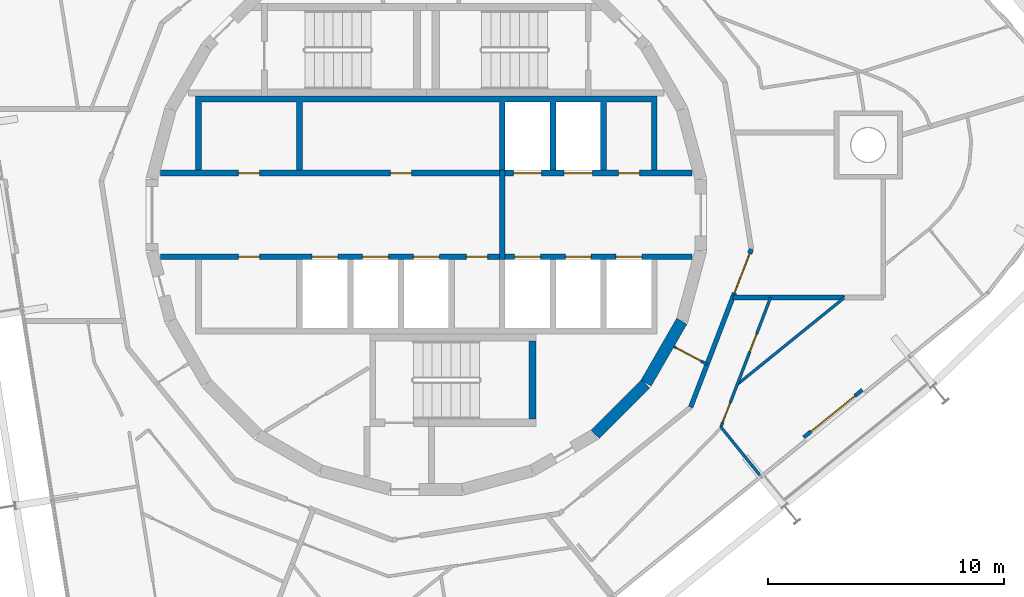
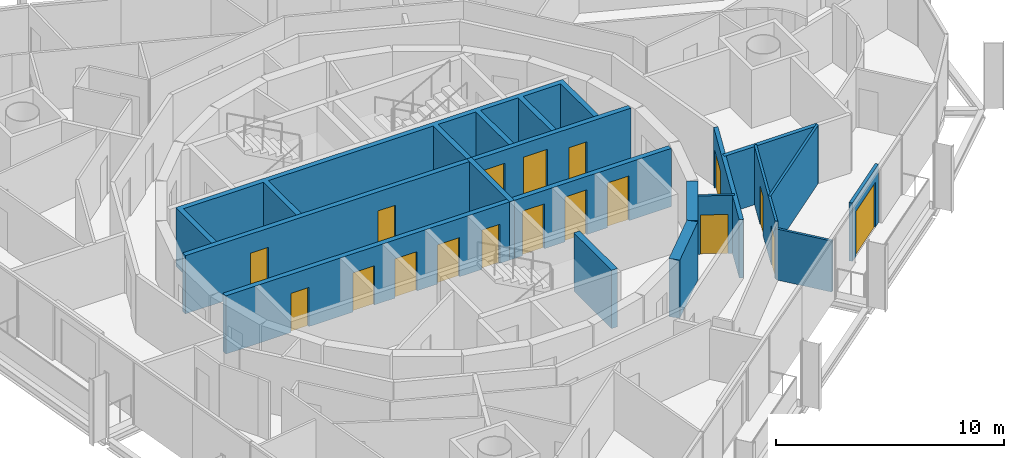
# One storey, part 13 of 17: 18 doors, 16 walls, 18 openings.
"""IFC4 building model written with IfcOpenShell, lengths in metres."""

from ifc_helpers import new_model, si_unit, direction, frame, frame_2d, origin, place, context, subcontext, project, spatial, polyline, rectangle, outline, extrude, material, layer, layer_set, type_object, element, fill, save


model = new_model("IFC4")

# Units and contexts
model_context = context("Model", 3, precision=1e-05, world=origin(), true_north=direction((0.0, 1.0)))
body_context = subcontext(model_context, "Body", "Model", "MODEL_VIEW")
ifc_project = project(units=[si_unit("LENGTHUNIT", "METRE"), si_unit("AREAUNIT", "SQUARE_METRE"), si_unit("VOLUMEUNIT", "CUBIC_METRE"), si_unit("PLANEANGLEUNIT", "RADIAN"), si_unit("MASSUNIT", "GRAM", prefix="KILO")], contexts=[model_context])

# Site, building, storey
site_placement = place(None, origin())
site = spatial("IfcSite", under=ifc_project, at=site_placement, CompositionType="ELEMENT")
building_placement = place(site_placement, origin())
building = spatial("IfcBuilding", under=site, at=building_placement, Name="Spindle Arch Residences", CompositionType="ELEMENT")
storey_placement = place(building_placement, frame((0.0, 0.0, 284.39990234375)))
storey = spatial("IfcBuildingStorey", under=building, at=storey_placement, Name="L73", CompositionType="ELEMENT", Elevation=284.39990234375)

# Walls
ifc_material_1 = material(Name="Concrete C50/60", Category="concrete")
ifc_layer_1 = layer(ifc_material_1, 0.5)
ifc_layer_set_1 = layer_set([ifc_layer_1], Name="Core outline wall 500")
wall_type_1 = type_object("IfcWallType", Name="Core outline wall 500", PredefinedType="SHEAR", material=ifc_layer_set_1)
wall_1_placement = place(storey_placement, frame((7.163818359375, -9.30810546875, 0.0), z_axis=(0.0, 0.0, 1.0), x_axis=(0.707106781187, 0.707106781187, 0.0)))
element("IfcWall", 1, at=wall_1_placement, inside=storey, type_object=wall_type_1, Name="Core outline wall 3", PredefinedType="SHEAR", context=body_context, shape_type="SweptSolid", body=[
    extrude(rectangle(XDim=3.032470703125, YDim=0.5, at=frame_2d((1.51611328125, 0.0))), origin(), (0.0, 0.0, 1.0), 3.1201171875),
])
wall_2_placement = place(storey_placement, frame((9.32861328125, -7.13671875, 0.0), z_axis=(0.0, 0.0, 1.0), x_axis=(0.500087131594, 0.865975092491, 0.0)))
element("IfcWall", 2, at=wall_2_placement, inside=storey, type_object=wall_type_1, Name="Core outline wall 4", PredefinedType="SHEAR", context=body_context, shape_type="SweptSolid", body=[
    extrude(rectangle(XDim=3.03271484375, YDim=0.5, at=frame_2d((1.516357421875, 0.0))), origin(), (0.0, 0.0, 1.0), 3.1201171875),
])

# Wall, opening, door
ifc_material_2 = material(Name="Plasterboard on steel studs", Category="steel")
ifc_layer_2 = layer(ifc_material_2, 0.1201171875)
ifc_layer_set_2 = layer_set([ifc_layer_2], Name="Corridor division wall 120")
wall_type_2 = type_object("IfcWallType", Name="Corridor division wall 120", PredefinedType="PARTITIONING", material=ifc_layer_set_2)
wall_3_placement = place(storey_placement, frame((10.510986328125, -5.5888671875, 0.0), z_axis=(0.0, 0.0, 1.0), x_axis=(0.882983002821, -0.469404960273, 0.0)))
wall_3 = element("IfcWall", 3, at=wall_3_placement, inside=storey, type_object=wall_type_2, Name="Corridor division wall R7C0-W002", PredefinedType="PARTITIONING", context=body_context, shape_type="SweptSolid", body=[
    extrude(rectangle(XDim=1.59619140625, YDim=0.1201171875, at=frame_2d((0.798095703125, 0.0))), origin(), (0.0, 0.0, 1.0), 3.1201171875),
])
opening_1_placement = place(wall_3_placement, frame((0.10009765625, 0.0, 0.0)))
opening_1 = element("IfcOpeningElement", 4, at=opening_1_placement, cuts=wall_3, Name="Opening R7C0-CD02", PredefinedType="OPENING", context=body_context, shape_type="SweptSolid", body=[
    extrude(rectangle(XDim=1.199951171875, YDim=2.10009765625, at=frame_2d((0.60009765625, 1.050048828125))), frame((0.0, 0.070068359375, 0.0), z_axis=(0.0, -1.0, 0.0), x_axis=(1.0, 0.0, 0.0)), (0.0, 0.0, 1.0), 0.14013671875),
])
ifc_material_3 = material(Name="Steel, fire-resisting door", Category="steel")
door_type_1 = type_object("IfcDoorType", Name="Corridor division door 1200x2100", OperationType="NOTDEFINED", PredefinedType="DOOR", material=ifc_material_3)
door_1_placement = place(opening_1_placement, origin())
door_1 = element("IfcDoor", 5, at=door_1_placement, inside=storey, type_object=door_type_1, Name="Corridor division door R7C0-CD02", OperationType="DOUBLE_DOOR_SINGLE_SWING", OverallHeight=2.10009765625, OverallWidth=1.199951171875, PredefinedType="DOOR", context=body_context, shape_type="SweptSolid", body=[
    extrude(rectangle(XDim=1.199951171875, YDim=2.10009765625, at=frame_2d((0.60009765625, 1.050048828125))), frame((0.0, 0.02490234375, 0.0), z_axis=(0.0, -1.0, 0.0), x_axis=(1.0, 0.0, 0.0)), (0.0, 0.0, 1.0), 0.050048828125),
])
fill(opening_1, door_1)

ifc_material_4 = material(Name="Calcium silicate block, plastered")
ifc_layer_3 = layer(ifc_material_4, 0.199951171875)
ifc_layer_set_3 = layer_set([ifc_layer_3], Name="Fire-lift lobby bay wall 200")
wall_type_3 = type_object("IfcWallType", Name="Fire-lift lobby bay wall 200", PredefinedType="STANDARD", material=ifc_layer_set_3)
wall_4_placement = place(storey_placement, frame((11.223388671875, -8.154296875, 0.0), z_axis=(0.0, 0.0, 1.0), x_axis=(0.358341090983, 0.93359073609, 0.0)))
wall_4 = element("IfcWall", 6, at=wall_4_placement, inside=storey, type_object=wall_type_3, Name="Fire-lift lobby bay wall R7C0-W004", PredefinedType="STANDARD", context=body_context, shape_type="SweptSolid", body=[
    extrude(rectangle(XDim=7.180908203125, YDim=0.199951171875, at=frame_2d((3.59033203125, 0.0))), origin(), (0.0, 0.0, 1.0), 3.1201171875),
])
opening_2_placement = place(wall_4_placement, frame((5.185302734375, 0.0, 0.0)))
opening_2 = element("IfcOpeningElement", 7, at=opening_2_placement, cuts=wall_4, Name="Opening R7C0-FB01", PredefinedType="OPENING", context=body_context, shape_type="SweptSolid", body=[
    extrude(rectangle(XDim=1.800048828125, YDim=2.10009765625, at=frame_2d((0.89990234375, 1.050048828125))), frame((0.0, 0.10986328125, 0.0), z_axis=(0.0, -1.0, 0.0), x_axis=(1.0, 0.0, 0.0)), (0.0, 0.0, 1.0), 0.219970703125),
])
ifc_material_5 = material(Name="Steel, fire-resisting door", Category="steel")
door_type_2 = type_object("IfcDoorType", Name="Fire-lift lobby bay door 1800x2100", OperationType="NOTDEFINED", PredefinedType="DOOR", material=ifc_material_5)
door_2_placement = place(opening_2_placement, origin())
door_2 = element("IfcDoor", 8, at=door_2_placement, inside=storey, type_object=door_type_2, Name="Fire-lift lobby bay door R7C0-FB01", OperationType="DOUBLE_DOOR_SINGLE_SWING", OverallHeight=2.10009765625, OverallWidth=1.800048828125, PredefinedType="DOOR", context=body_context, shape_type="SweptSolid", body=[
    extrude(rectangle(XDim=1.800048828125, YDim=2.10009765625, at=frame_2d((0.89990234375, 1.050048828125))), frame((0.0, 0.02490234375, 0.0), z_axis=(0.0, -1.0, 0.0), x_axis=(1.0, 0.0, 0.0)), (0.0, 0.0, 1.0), 0.050048828125),
])
fill(opening_2, door_2)

# Wall
wall_5_placement = place(storey_placement, frame((13.009765625, -3.5, 0.0), z_axis=(0.0, 0.0, 1.0), x_axis=(1.0, 0.0, 0.0)))
element("IfcWall", 9, at=wall_5_placement, inside=storey, type_object=wall_type_3, Name="Fire-lift lobby bay wall R7C0-W019", PredefinedType="STANDARD", context=body_context, shape_type="SweptSolid", body=[
    extrude(rectangle(XDim=4.75, YDim=0.199951171875, at=frame_2d((2.375, 0.0))), origin(), (0.0, 0.0, 1.0), 3.1201171875),
])

# Wall, openings, doors
ifc_material_6 = material(Name="Concrete C40/50", Category="concrete")
ifc_layer_4 = layer(ifc_material_6, 0.25)
ifc_layer_set_4 = layer_set([ifc_layer_4], Name="Fire-lift lobby wall 250")
wall_type_4 = type_object("IfcWallType", Name="Fire-lift lobby wall 250", PredefinedType="SHEAR", material=ifc_layer_set_4)
wall_6_placement = place(storey_placement, frame((3.35009765625, 1.77490234375, 0.0), z_axis=(0.0, 0.0, 1.0), x_axis=(1.0, 0.0, 0.0)))
wall_6 = element("IfcWall", 10, at=wall_6_placement, inside=storey, type_object=wall_type_4, Name="Lift shaft front wall NE", PredefinedType="SHEAR", context=body_context, shape_type="SweptSolid", body=[
    extrude(rectangle(XDim=7.929931640625, YDim=0.25, at=frame_2d((3.96484375, 0.0))), origin(), (0.0, 0.0, 1.0), 3.1201171875),
])
opening_3_placement = place(wall_6_placement, frame((0.35009765625, 0.0, 0.0)))
opening_3 = element("IfcOpeningElement", 11, at=opening_3_placement, cuts=wall_6, Name="Opening R7C0-SLD01", PredefinedType="OPENING", context=body_context, shape_type="SweptSolid", body=[
    extrude(rectangle(XDim=1.199951171875, YDim=2.39990234375, at=frame_2d((0.60009765625, 1.199951171875))), frame((0.0, 0.135009765625, 0.0), z_axis=(0.0, -1.0, 0.0), x_axis=(1.0, 0.0, 0.0)), (0.0, 0.0, 1.0), 0.27001953125),
])
opening_4_placement = place(wall_6_placement, frame((2.5, 0.0, 0.0)))
opening_4 = element("IfcOpeningElement", 12, at=opening_4_placement, cuts=wall_6, Name="Opening R7C0-SLD02", PredefinedType="OPENING", context=body_context, shape_type="SweptSolid", body=[
    extrude(rectangle(XDim=1.199951171875, YDim=2.39990234375, at=frame_2d((0.60009765625, 1.199951171875))), frame((0.0, 0.135009765625, 0.0), z_axis=(0.0, -1.0, 0.0), x_axis=(1.0, 0.0, 0.0)), (0.0, 0.0, 1.0), 0.27001953125),
])
opening_5_placement = place(wall_6_placement, frame((4.800048828125, 0.0, 0.0)))
opening_5 = element("IfcOpeningElement", 13, at=opening_5_placement, cuts=wall_6, Name="Opening R7C0-WD03", PredefinedType="OPENING", context=body_context, shape_type="SweptSolid", body=[
    extrude(rectangle(XDim=0.89990234375, YDim=2.10009765625, at=frame_2d((0.449951171875, 1.050048828125))), frame((0.0, 0.135009765625, 0.0), z_axis=(0.0, -1.0, 0.0), x_axis=(1.0, 0.0, 0.0)), (0.0, 0.0, 1.0), 0.27001953125),
])
ifc_material_7 = material(Name="Steel, fire-resisting landing door", Category="steel")
door_type_3 = type_object("IfcDoorType", Name="Service lift landing door 1200x2400", OperationType="DOUBLE_DOOR_SLIDING", PredefinedType="DOOR", material=ifc_material_7)
door_3_placement = place(opening_3_placement, origin())
door_3 = element("IfcDoor", 14, at=door_3_placement, inside=storey, type_object=door_type_3, Name="Service lift landing door R7C0-SLD01", OperationType="DOUBLE_DOOR_SLIDING", OverallHeight=2.39990234375, OverallWidth=1.199951171875, PredefinedType="DOOR", context=body_context, shape_type="SweptSolid", body=[
    extrude(rectangle(XDim=1.199951171875, YDim=2.39990234375, at=frame_2d((0.60009765625, 1.199951171875))), frame((0.0, 0.02490234375, 0.0), z_axis=(0.0, -1.0, 0.0), x_axis=(1.0, 0.0, 0.0)), (0.0, 0.0, 1.0), 0.050048828125),
])
fill(opening_3, door_3)
door_4_placement = place(opening_4_placement, origin())
door_4 = element("IfcDoor", 15, at=door_4_placement, inside=storey, type_object=door_type_3, Name="Service lift landing door R7C0-SLD02", OperationType="DOUBLE_DOOR_SLIDING", OverallHeight=2.39990234375, OverallWidth=1.199951171875, PredefinedType="DOOR", context=body_context, shape_type="SweptSolid", body=[
    extrude(rectangle(XDim=1.199951171875, YDim=2.39990234375, at=frame_2d((0.60009765625, 1.199951171875))), frame((0.0, 0.02490234375, 0.0), z_axis=(0.0, -1.0, 0.0), x_axis=(1.0, 0.0, 0.0)), (0.0, 0.0, 1.0), 0.050048828125),
])
fill(opening_4, door_4)
ifc_material_8 = material(Name="Steel, fire-resisting door", Category="steel")
door_type_4 = type_object("IfcDoorType", Name="Service room door 900x2100", OperationType="SINGLE_SWING_LEFT", PredefinedType="DOOR", material=ifc_material_8)
door_5_placement = place(opening_5_placement, origin())
door_5 = element("IfcDoor", 16, at=door_5_placement, inside=storey, type_object=door_type_4, Name="Service room door R7C0-WD03", OperationType="SINGLE_SWING_LEFT", OverallHeight=2.10009765625, OverallWidth=0.89990234375, PredefinedType="DOOR", context=body_context, shape_type="SweptSolid", body=[
    extrude(rectangle(XDim=0.89990234375, YDim=2.10009765625, at=frame_2d((0.449951171875, 1.050048828125))), frame((0.0, 0.02490234375, 0.0), z_axis=(0.0, -1.0, 0.0), x_axis=(1.0, 0.0, 0.0)), (0.0, 0.0, 1.0), 0.050048828125),
])
fill(opening_5, door_5)

# Wall
wall_7_placement = place(storey_placement, frame((3.22509765625, -1.89990234375, 0.0), z_axis=(0.0, 0.0, 1.0), x_axis=(0.0, 1.0, 0.0)))
element("IfcWall", 17, at=wall_7_placement, inside=storey, type_object=wall_type_4, Name="Fire-fighting lobby partition", PredefinedType="SHEAR", context=body_context, shape_type="SweptSolid", body=[
    extrude(rectangle(XDim=3.7998046875, YDim=0.25, at=frame_2d((1.89990234375, 0.0))), origin(), (0.0, 0.0, 1.0), 3.1201171875),
])

# Wall, openings, doors
ifc_material_9 = material(Name="Concrete C50/60", Category="concrete")
ifc_layer_5 = layer(ifc_material_9, 0.25)
ifc_layer_set_5 = layer_set([ifc_layer_5], Name="Fire-lift shaft wall 250")
wall_type_5 = type_object("IfcWallType", Name="Fire-lift shaft wall 250", PredefinedType="SHEAR", material=ifc_layer_set_5)
wall_8_placement = place(storey_placement, frame((3.35009765625, -1.77490234375, 0.0), z_axis=(0.0, 0.0, 1.0), x_axis=(1.0, 0.0, 0.0)))
wall_8 = element("IfcWall", 18, at=wall_8_placement, inside=storey, type_object=wall_type_5, Name="Lift shaft front wall SE", PredefinedType="SHEAR", context=body_context, shape_type="SweptSolid", body=[
    extrude(rectangle(XDim=7.929931640625, YDim=0.25, at=frame_2d((3.96484375, 0.0))), origin(), (0.0, 0.0, 1.0), 3.1201171875),
])
opening_6_placement = place(wall_8_placement, frame((0.39990234375, 0.0, 0.0)))
opening_6 = element("IfcOpeningElement", 19, at=opening_6_placement, cuts=wall_8, Name="Opening R7C0-FLD01", PredefinedType="OPENING", context=body_context, shape_type="SweptSolid", body=[
    extrude(rectangle(XDim=1.10009765625, YDim=2.39990234375, at=frame_2d((0.550048828125, 1.199951171875))), frame((0.0, 0.135009765625, 0.0), z_axis=(0.0, -1.0, 0.0), x_axis=(1.0, 0.0, 0.0)), (0.0, 0.0, 1.0), 0.27001953125),
])
opening_7_placement = place(wall_8_placement, frame((2.550048828125, 0.0, 0.0)))
opening_7 = element("IfcOpeningElement", 20, at=opening_7_placement, cuts=wall_8, Name="Opening R7C0-FLD02", PredefinedType="OPENING", context=body_context, shape_type="SweptSolid", body=[
    extrude(rectangle(XDim=1.10009765625, YDim=2.39990234375, at=frame_2d((0.550048828125, 1.199951171875))), frame((0.0, 0.135009765625, 0.0), z_axis=(0.0, -1.0, 0.0), x_axis=(1.0, 0.0, 0.0)), (0.0, 0.0, 1.0), 0.27001953125),
])
opening_8_placement = place(wall_8_placement, frame((4.699951171875, 0.0, 0.0)))
opening_8 = element("IfcOpeningElement", 21, at=opening_8_placement, cuts=wall_8, Name="Opening R7C0-FLD03", PredefinedType="OPENING", context=body_context, shape_type="SweptSolid", body=[
    extrude(rectangle(XDim=1.10009765625, YDim=2.39990234375, at=frame_2d((0.550048828125, 1.199951171875))), frame((0.0, 0.135009765625, 0.0), z_axis=(0.0, -1.0, 0.0), x_axis=(1.0, 0.0, 0.0)), (0.0, 0.0, 1.0), 0.27001953125),
])
ifc_material_10 = material(Name="Steel, fire-resisting landing door", Category="steel")
door_type_5 = type_object("IfcDoorType", Name="Fire-fighting lift landing door 1100x2400", OperationType="DOUBLE_DOOR_SLIDING", PredefinedType="DOOR", material=ifc_material_10)
door_6_placement = place(opening_6_placement, origin())
door_6 = element("IfcDoor", 22, at=door_6_placement, inside=storey, type_object=door_type_5, Name="Fire-fighting lift landing door R7C0-FLD01", OperationType="DOUBLE_DOOR_SLIDING", OverallHeight=2.39990234375, OverallWidth=1.10009765625, PredefinedType="DOOR", context=body_context, shape_type="SweptSolid", body=[
    extrude(rectangle(XDim=1.10009765625, YDim=2.39990234375, at=frame_2d((0.550048828125, 1.199951171875))), frame((0.0, 0.02490234375, 0.0), z_axis=(0.0, -1.0, 0.0), x_axis=(1.0, 0.0, 0.0)), (0.0, 0.0, 1.0), 0.050048828125),
])
fill(opening_6, door_6)
door_7_placement = place(opening_7_placement, origin())
door_7 = element("IfcDoor", 23, at=door_7_placement, inside=storey, type_object=door_type_5, Name="Fire-fighting lift landing door R7C0-FLD02", OperationType="DOUBLE_DOOR_SLIDING", OverallHeight=2.39990234375, OverallWidth=1.10009765625, PredefinedType="DOOR", context=body_context, shape_type="SweptSolid", body=[
    extrude(rectangle(XDim=1.10009765625, YDim=2.39990234375, at=frame_2d((0.550048828125, 1.199951171875))), frame((0.0, 0.02490234375, 0.0), z_axis=(0.0, -1.0, 0.0), x_axis=(1.0, 0.0, 0.0)), (0.0, 0.0, 1.0), 0.050048828125),
])
fill(opening_7, door_7)
door_8_placement = place(opening_8_placement, origin())
door_8 = element("IfcDoor", 24, at=door_8_placement, inside=storey, type_object=door_type_5, Name="Fire-fighting lift landing door R7C0-FLD03", OperationType="DOUBLE_DOOR_SLIDING", OverallHeight=2.39990234375, OverallWidth=1.10009765625, PredefinedType="DOOR", context=body_context, shape_type="SweptSolid", body=[
    extrude(rectangle(XDim=1.10009765625, YDim=2.39990234375, at=frame_2d((0.550048828125, 1.199951171875))), frame((0.0, 0.02490234375, 0.0), z_axis=(0.0, -1.0, 0.0), x_axis=(1.0, 0.0, 0.0)), (0.0, 0.0, 1.0), 0.050048828125),
])
fill(opening_8, door_8)

ifc_material_11 = material(Name="Plasterboard on steel studs", Category="steel")
ifc_layer_6 = layer(ifc_material_11, 0.1201171875)
ifc_layer_set_6 = layer_set([ifc_layer_6], Name="Flat partition 120")
wall_type_6 = type_object("IfcWallType", Name="Flat partition 120", PredefinedType="PARTITIONING", material=ifc_layer_set_6)
wall_9_placement = place(storey_placement, frame((12.5048828125, -9.000732421875, 0.0), z_axis=(0.0, 0.0, 1.0), x_axis=(0.358373707046, 0.933578216379, 0.0)))
wall_9 = element("IfcWall", 25, at=wall_9_placement, inside=storey, type_object=wall_type_6, Name="Flat partition R7C0-W093", PredefinedType="PARTITIONING", context=body_context, shape_type="SweptSolid", body=[
    extrude(rectangle(XDim=5.89208984375, YDim=0.1201171875, at=frame_2d((2.946044921875, 0.0))), origin(), (0.0, 0.0, 1.0), 3.1201171875),
])
opening_9_placement = place(wall_9_placement, frame((0.199951171875, 0.0, 0.0)))
opening_9 = element("IfcOpeningElement", 26, at=opening_9_placement, cuts=wall_9, Name="Opening R7C0-ID22", PredefinedType="OPENING", context=body_context, shape_type="SweptSolid", body=[
    extrude(rectangle(XDim=0.89990234375, YDim=2.10009765625, at=frame_2d((0.449951171875, 1.050048828125))), frame((0.0, 0.070068359375, 0.0), z_axis=(0.0, -1.0, 0.0), x_axis=(1.0, 0.0, 0.0)), (0.0, 0.0, 1.0), 0.14013671875),
])
opening_10_placement = place(wall_9_placement, frame((3.435791015625, 0.0, 0.0)))
opening_10 = element("IfcOpeningElement", 27, at=opening_10_placement, cuts=wall_9, Name="Opening R7C0-BD06", PredefinedType="OPENING", context=body_context, shape_type="SweptSolid", body=[
    extrude(rectangle(XDim=0.800048828125, YDim=2.10009765625, at=frame_2d((0.39990234375, 1.050048828125))), frame((0.0, 0.070068359375, 0.0), z_axis=(0.0, -1.0, 0.0), x_axis=(1.0, 0.0, 0.0)), (0.0, 0.0, 1.0), 0.14013671875),
])
ifc_material_12 = material(Name="Timber door set", Category="wood")
door_type_6 = type_object("IfcDoorType", Name="Bathroom door 800x2100", OperationType="NOTDEFINED", PredefinedType="DOOR", material=ifc_material_12)
door_9_placement = place(opening_10_placement, origin())
door_9 = element("IfcDoor", 28, at=door_9_placement, inside=storey, type_object=door_type_6, Name="Bathroom door R7C0-BD06", OperationType="SINGLE_SWING_RIGHT", OverallHeight=2.10009765625, OverallWidth=0.800048828125, PredefinedType="DOOR", context=body_context, shape_type="SweptSolid", body=[
    extrude(rectangle(XDim=0.800048828125, YDim=2.10009765625, at=frame_2d((0.39990234375, 1.050048828125))), frame((0.0, 0.02490234375, 0.0), z_axis=(0.0, -1.0, 0.0), x_axis=(1.0, 0.0, 0.0)), (0.0, 0.0, 1.0), 0.050048828125),
])
fill(opening_10, door_9)
ifc_material_13 = material(Name="Timber door set", Category="wood")
door_type_7 = type_object("IfcDoorType", Name="Room door 900x2100", OperationType="NOTDEFINED", PredefinedType="DOOR", material=ifc_material_13)
door_10_placement = place(opening_9_placement, origin())
door_10 = element("IfcDoor", 29, at=door_10_placement, inside=storey, type_object=door_type_7, Name="Room door R7C0-ID22", OperationType="SINGLE_SWING_RIGHT", OverallHeight=2.10009765625, OverallWidth=0.89990234375, PredefinedType="DOOR", context=body_context, shape_type="SweptSolid", body=[
    extrude(rectangle(XDim=0.89990234375, YDim=2.10009765625, at=frame_2d((0.449951171875, 1.050048828125))), frame((0.0, 0.02490234375, 0.0), z_axis=(0.0, -1.0, 0.0), x_axis=(1.0, 0.0, 0.0)), (0.0, 0.0, 1.0), 0.050048828125),
])
fill(opening_9, door_10)

# Walls
wall_10_placement = place(storey_placement, frame((17.759765625, -3.5, 0.0), z_axis=(0.0, 0.0, 1.0), x_axis=(-0.777133455716, -0.62933583404, 0.0)))
element("IfcWall", 30, at=wall_10_placement, inside=storey, type_object=wall_type_6, Name="Flat partition R7C0-W102", PredefinedType="PARTITIONING", context=body_context, shape_type="SweptSolid", body=[
    extrude(rectangle(XDim=5.869140625, YDim=0.1201171875, at=frame_2d((2.9345703125, 0.0))), origin(), (0.0, 0.0, 1.0), 3.1201171875),
])
ifc_material_14 = material(Name="Plasterboard on steel studs", Category="steel")
ifc_layer_7 = layer(ifc_material_14, 0.1201171875)
ifc_layer_set_7 = layer_set([ifc_layer_7], Name="Flat partition 120 under beam 2730")
wall_type_7 = type_object("IfcWallType", Name="Flat partition 120 under beam 2730", PredefinedType="PARTITIONING", material=ifc_layer_set_7)
wall_11_placement = place(storey_placement, frame((14.161376953125, -11.04638671875, 0.0), z_axis=(0.0, 0.0, 1.0), x_axis=(-0.62931028473, 0.777154145284, 0.0)))
element("IfcWall", 31, at=wall_11_placement, inside=storey, type_object=wall_type_7, Name="Flat partition R7C0-W101", PredefinedType="PARTITIONING", context=body_context, shape_type="SweptSolid", body=[
    extrude(rectangle(XDim=2.63232421875, YDim=0.1201171875, at=frame_2d((1.316162109375, 0.0))), origin(), (0.0, 0.0, 1.0), 2.72998046875),
])

# Wall, opening, door
ifc_material_15 = material(Name="Non-combustible mineral wool insulated aluminium faced external wall (K0)", Category="aluminium")
ifc_layer_8 = layer(ifc_material_15, 0.159912109375)
ifc_layer_set_8 = layer_set([ifc_layer_8], Name="Insulated external wall panel 160")
wall_type_8 = type_object("IfcWallType", Name="Insulated external wall panel 160", PredefinedType="STANDARD", material=ifc_layer_set_8)
wall_12_placement = place(storey_placement, frame((16.01806640625, -9.43994140625, 0.0), z_axis=(0.0, 0.0, 1.0), x_axis=(0.777125818, 0.629345265333, 0.0)))
wall_12 = element("IfcWall", 32, at=wall_12_placement, inside=storey, type_object=wall_type_8, Name="External wall L73 bay 1", PredefinedType="STANDARD", context=body_context, shape_type="SweptSolid", body=[
    extrude(rectangle(XDim=3.199951171875, YDim=0.159912109375, at=frame_2d((1.60009765625, 0.0))), origin(), (0.0, 0.0, 1.0), 3.1201171875),
])
opening_11_placement = place(wall_12_placement, frame((0.39990234375, 0.0, 0.0)))
opening_11 = element("IfcOpeningElement", 33, at=opening_11_placement, cuts=wall_12, Name="Opening BD01", PredefinedType="OPENING", context=body_context, shape_type="SweptSolid", body=[
    extrude(rectangle(XDim=2.39990234375, YDim=2.39990234375, at=frame_2d((1.199951171875, 1.199951171875))), frame((0.0, 0.08984375, 0.0), z_axis=(0.0, -1.0, 0.0), x_axis=(1.0, 0.0, 0.0)), (0.0, 0.0, 1.0), 0.179931640625),
])
ifc_material_16 = material(Name="Bronze aluminium frame, tinted double glazing", Category="aluminium")
door_type_8 = type_object("IfcDoorType", Name="Sliding glazed balcony door 2400x2400", OperationType="DOUBLE_DOOR_SLIDING", PredefinedType="DOOR", material=ifc_material_16)
door_11_placement = place(opening_11_placement, origin())
door_11 = element("IfcDoor", 34, at=door_11_placement, inside=storey, type_object=door_type_8, Name="Balcony door BD01", OperationType="DOUBLE_DOOR_SLIDING", OverallHeight=2.39990234375, OverallWidth=2.39990234375, PredefinedType="DOOR", context=body_context, shape_type="SweptSolid", body=[
    extrude(rectangle(XDim=2.39990234375, YDim=2.39990234375, at=frame_2d((1.199951171875, 1.199951171875))), frame((0.0, 0.02490234375, 0.0), z_axis=(0.0, -1.0, 0.0), x_axis=(1.0, 0.0, 0.0)), (0.0, 0.0, 1.0), 0.050048828125),
])
fill(opening_11, door_11)

# Wall, openings, doors
ifc_material_17 = material(Name="Concrete C50/60", Category="concrete")
ifc_layer_9 = layer(ifc_material_17, 0.25)
ifc_layer_set_9 = layer_set([ifc_layer_9], Name="Lift shaft wall 250")
wall_type_9 = type_object("IfcWallType", Name="Lift shaft wall 250", PredefinedType="SHEAR", material=ifc_layer_set_9)
wall_13_placement = place(storey_placement, frame((-11.280029296875, 1.77490234375, 0.0), z_axis=(0.0, 0.0, 1.0), x_axis=(1.0, 0.0, 0.0)))
wall_13 = element("IfcWall", 35, at=wall_13_placement, inside=storey, type_object=wall_type_9, Name="Lift shaft front wall NW", PredefinedType="SHEAR", context=body_context, shape_type="SweptSolid", body=[
    extrude(rectangle(XDim=14.380126953125, YDim=0.25, at=frame_2d((7.18994140625, 0.0))), origin(), (0.0, 0.0, 1.0), 3.1201171875),
])
opening_12_placement = place(wall_13_placement, frame((3.304931640625, 0.0, 0.0)))
opening_12 = element("IfcOpeningElement", 36, at=opening_12_placement, cuts=wall_13, Name="Opening R7C0-WD01", PredefinedType="OPENING", context=body_context, shape_type="SweptSolid", body=[
    extrude(rectangle(XDim=0.89990234375, YDim=2.10009765625, at=frame_2d((0.449951171875, 1.050048828125))), frame((0.0, 0.135009765625, 0.0), z_axis=(0.0, -1.0, 0.0), x_axis=(1.0, 0.0, 0.0)), (0.0, 0.0, 1.0), 0.27001953125),
])
opening_13_placement = place(wall_13_placement, frame((9.7548828125, 0.0, 0.0)))
opening_13 = element("IfcOpeningElement", 37, at=opening_13_placement, cuts=wall_13, Name="Opening R7C0-WD02", PredefinedType="OPENING", context=body_context, shape_type="SweptSolid", body=[
    extrude(rectangle(XDim=0.89990234375, YDim=2.10009765625, at=frame_2d((0.449951171875, 1.050048828125))), frame((0.0, 0.135009765625, 0.0), z_axis=(0.0, -1.0, 0.0), x_axis=(1.0, 0.0, 0.0)), (0.0, 0.0, 1.0), 0.27001953125),
])
door_12_placement = place(opening_12_placement, origin())
door_12 = element("IfcDoor", 38, at=door_12_placement, inside=storey, type_object=door_type_4, Name="Service room door R7C0-WD01", OperationType="SINGLE_SWING_LEFT", OverallHeight=2.10009765625, OverallWidth=0.89990234375, PredefinedType="DOOR", context=body_context, shape_type="SweptSolid", body=[
    extrude(rectangle(XDim=0.89990234375, YDim=2.10009765625, at=frame_2d((0.449951171875, 1.050048828125))), frame((0.0, 0.02490234375, 0.0), z_axis=(0.0, -1.0, 0.0), x_axis=(1.0, 0.0, 0.0)), (0.0, 0.0, 1.0), 0.050048828125),
])
fill(opening_12, door_12)
door_13_placement = place(opening_13_placement, origin())
door_13 = element("IfcDoor", 39, at=door_13_placement, inside=storey, type_object=door_type_4, Name="Service room door R7C0-WD02", OperationType="SINGLE_SWING_RIGHT", OverallHeight=2.10009765625, OverallWidth=0.89990234375, PredefinedType="DOOR", context=body_context, shape_type="SweptSolid", body=[
    extrude(rectangle(XDim=0.89990234375, YDim=2.10009765625, at=frame_2d((0.449951171875, 1.050048828125))), frame((0.0, 0.02490234375, 0.0), z_axis=(0.0, -1.0, 0.0), x_axis=(1.0, 0.0, 0.0)), (0.0, 0.0, 1.0), 0.050048828125),
])
fill(opening_13, door_13)

wall_14_placement = place(storey_placement, frame((-11.280029296875, -1.77490234375, 0.0), z_axis=(0.0, 0.0, 1.0), x_axis=(1.0, 0.0, 0.0)))
wall_14 = element("IfcWall", 40, at=wall_14_placement, inside=storey, type_object=wall_type_9, Name="Lift shaft front wall SW", PredefinedType="SHEAR", context=body_context, shape_type="SweptSolid", body=[
    extrude(rectangle(XDim=14.380126953125, YDim=0.25, at=frame_2d((7.18994140625, 0.0))), origin(), (0.0, 0.0, 1.0), 3.1201171875),
])
opening_14_placement = place(wall_14_placement, frame((6.429931640625, 0.0, 0.0)))
opening_14 = element("IfcOpeningElement", 41, at=opening_14_placement, cuts=wall_14, Name="Opening R7C0-LD01", PredefinedType="OPENING", context=body_context, shape_type="SweptSolid", body=[
    extrude(rectangle(XDim=1.10009765625, YDim=2.10009765625, at=frame_2d((0.550048828125, 1.050048828125))), frame((0.0, 0.135009765625, 0.0), z_axis=(0.0, -1.0, 0.0), x_axis=(1.0, 0.0, 0.0)), (0.0, 0.0, 1.0), 0.27001953125),
])
opening_15_placement = place(wall_14_placement, frame((8.580078125, 0.0, 0.0)))
opening_15 = element("IfcOpeningElement", 42, at=opening_15_placement, cuts=wall_14, Name="Opening R7C0-LD02", PredefinedType="OPENING", context=body_context, shape_type="SweptSolid", body=[
    extrude(rectangle(XDim=1.10009765625, YDim=2.10009765625, at=frame_2d((0.550048828125, 1.050048828125))), frame((0.0, 0.135009765625, 0.0), z_axis=(0.0, -1.0, 0.0), x_axis=(1.0, 0.0, 0.0)), (0.0, 0.0, 1.0), 0.27001953125),
])
opening_16_placement = place(wall_14_placement, frame((10.72998046875, 0.0, 0.0)))
opening_16 = element("IfcOpeningElement", 43, at=opening_16_placement, cuts=wall_14, Name="Opening R7C0-LD03", PredefinedType="OPENING", context=body_context, shape_type="SweptSolid", body=[
    extrude(rectangle(XDim=1.10009765625, YDim=2.10009765625, at=frame_2d((0.550048828125, 1.050048828125))), frame((0.0, 0.135009765625, 0.0), z_axis=(0.0, -1.0, 0.0), x_axis=(1.0, 0.0, 0.0)), (0.0, 0.0, 1.0), 0.27001953125),
])
opening_17_placement = place(wall_14_placement, frame((3.304931640625, 0.0, 0.0)))
opening_17 = element("IfcOpeningElement", 44, at=opening_17_placement, cuts=wall_14, Name="Opening R7C0-WD04", PredefinedType="OPENING", context=body_context, shape_type="SweptSolid", body=[
    extrude(rectangle(XDim=0.89990234375, YDim=2.10009765625, at=frame_2d((0.449951171875, 1.050048828125))), frame((0.0, 0.135009765625, 0.0), z_axis=(0.0, -1.0, 0.0), x_axis=(1.0, 0.0, 0.0)), (0.0, 0.0, 1.0), 0.27001953125),
])
opening_18_placement = place(wall_14_placement, frame((12.97998046875, 0.0, 0.0)))
opening_18 = element("IfcOpeningElement", 45, at=opening_18_placement, cuts=wall_14, Name="Opening R7C0-WD05", PredefinedType="OPENING", context=body_context, shape_type="SweptSolid", body=[
    extrude(rectangle(XDim=0.89990234375, YDim=2.10009765625, at=frame_2d((0.449951171875, 1.050048828125))), frame((0.0, 0.135009765625, 0.0), z_axis=(0.0, -1.0, 0.0), x_axis=(1.0, 0.0, 0.0)), (0.0, 0.0, 1.0), 0.27001953125),
])
ifc_material_18 = material(Name="Steel, fire-resisting landing door", Category="steel")
door_type_9 = type_object("IfcDoorType", Name="Lift landing door 1100x2100", OperationType="DOUBLE_DOOR_SLIDING", PredefinedType="DOOR", material=ifc_material_18)
door_14_placement = place(opening_14_placement, origin())
door_14 = element("IfcDoor", 46, at=door_14_placement, inside=storey, type_object=door_type_9, Name="Lift landing door R7C0-LD01", OperationType="DOUBLE_DOOR_SLIDING", OverallHeight=2.10009765625, OverallWidth=1.10009765625, PredefinedType="DOOR", context=body_context, shape_type="SweptSolid", body=[
    extrude(rectangle(XDim=1.10009765625, YDim=2.10009765625, at=frame_2d((0.550048828125, 1.050048828125))), frame((0.0, 0.02490234375, 0.0), z_axis=(0.0, -1.0, 0.0), x_axis=(1.0, 0.0, 0.0)), (0.0, 0.0, 1.0), 0.050048828125),
])
fill(opening_14, door_14)
door_15_placement = place(opening_15_placement, origin())
door_15 = element("IfcDoor", 47, at=door_15_placement, inside=storey, type_object=door_type_9, Name="Lift landing door R7C0-LD02", OperationType="DOUBLE_DOOR_SLIDING", OverallHeight=2.10009765625, OverallWidth=1.10009765625, PredefinedType="DOOR", context=body_context, shape_type="SweptSolid", body=[
    extrude(rectangle(XDim=1.10009765625, YDim=2.10009765625, at=frame_2d((0.550048828125, 1.050048828125))), frame((0.0, 0.02490234375, 0.0), z_axis=(0.0, -1.0, 0.0), x_axis=(1.0, 0.0, 0.0)), (0.0, 0.0, 1.0), 0.050048828125),
])
fill(opening_15, door_15)
door_16_placement = place(opening_16_placement, origin())
door_16 = element("IfcDoor", 48, at=door_16_placement, inside=storey, type_object=door_type_9, Name="Lift landing door R7C0-LD03", OperationType="DOUBLE_DOOR_SLIDING", OverallHeight=2.10009765625, OverallWidth=1.10009765625, PredefinedType="DOOR", context=body_context, shape_type="SweptSolid", body=[
    extrude(rectangle(XDim=1.10009765625, YDim=2.10009765625, at=frame_2d((0.550048828125, 1.050048828125))), frame((0.0, 0.02490234375, 0.0), z_axis=(0.0, -1.0, 0.0), x_axis=(1.0, 0.0, 0.0)), (0.0, 0.0, 1.0), 0.050048828125),
])
fill(opening_16, door_16)
door_17_placement = place(opening_17_placement, origin())
door_17 = element("IfcDoor", 49, at=door_17_placement, inside=storey, type_object=door_type_4, Name="Service room door R7C0-WD04", OperationType="SINGLE_SWING_RIGHT", OverallHeight=2.10009765625, OverallWidth=0.89990234375, PredefinedType="DOOR", context=body_context, shape_type="SweptSolid", body=[
    extrude(rectangle(XDim=0.89990234375, YDim=2.10009765625, at=frame_2d((0.449951171875, 1.050048828125))), frame((0.0, 0.02490234375, 0.0), z_axis=(0.0, -1.0, 0.0), x_axis=(1.0, 0.0, 0.0)), (0.0, 0.0, 1.0), 0.050048828125),
])
fill(opening_17, door_17)
door_18_placement = place(opening_18_placement, origin())
door_18 = element("IfcDoor", 50, at=door_18_placement, inside=storey, type_object=door_type_4, Name="Service room door R7C0-WD05", OperationType="SINGLE_SWING_LEFT", OverallHeight=2.10009765625, OverallWidth=0.89990234375, PredefinedType="DOOR", context=body_context, shape_type="SweptSolid", body=[
    extrude(rectangle(XDim=0.89990234375, YDim=2.10009765625, at=frame_2d((0.449951171875, 1.050048828125))), frame((0.0, 0.02490234375, 0.0), z_axis=(0.0, -1.0, 0.0), x_axis=(1.0, 0.0, 0.0)), (0.0, 0.0, 1.0), 0.050048828125),
])
fill(opening_18, door_18)

# Walls
ifc_material_19 = material(Name="Concrete C50/60", Category="concrete")
wall_type_10 = type_object("IfcWallType", Name="Lift shaft wall profile", PredefinedType="SHEAR", material=ifc_material_19)
wall_15_placement = place(storey_placement, origin())
element("IfcWall", 51, at=wall_15_placement, inside=storey, type_object=wall_type_10, Name="Lift shaft walls N", PredefinedType="SHEAR", context=body_context, shape_type="SweptSolid", body=[
    extrude(outline(polyline([(-9.800048828125, 1.89990234375), (-9.550048828125, 1.89990234375), (-9.550048828125, 4.800048828125), (-5.5, 4.800048828125), (-5.5, 1.89990234375), (-5.25, 1.89990234375), (-5.25, 4.800048828125), (3.10009765625, 4.800048828125), (3.10009765625, 1.89990234375), (3.35009765625, 1.89990234375), (3.35009765625, 4.800048828125), (5.25, 4.800048828125), (5.25, 1.89990234375), (5.5, 1.89990234375), (5.5, 4.800048828125), (7.39990234375, 4.800048828125), (7.39990234375, 1.89990234375), (7.64990234375, 1.89990234375), (7.64990234375, 4.800048828125), (9.550048828125, 4.800048828125), (9.550048828125, 1.89990234375), (9.800048828125, 1.89990234375), (9.800048828125, 4.800048828125), (9.800048828125, 5.050048828125), (-9.800048828125, 5.050048828125), (-9.800048828125, 4.800048828125), (-9.800048828125, 1.89990234375)])), origin(), (0.0, 0.0, 1.0), 3.1201171875),
])
ifc_material_20 = material(Name="Concrete C50/60", Category="concrete")
ifc_layer_10 = layer(ifc_material_20, 0.300048828125)
ifc_layer_set_10 = layer_set([ifc_layer_10], Name="Stair enclosure wall 300")
wall_type_11 = type_object("IfcWallType", Name="Stair enclosure wall 300", PredefinedType="SHEAR", material=ifc_layer_set_10)
wall_16_placement = place(storey_placement, frame((4.5, -8.669921875, 0.0), z_axis=(0.0, 0.0, 1.0), x_axis=(0.0, 1.0, 0.0)))
element("IfcWall", 52, at=wall_16_placement, inside=storey, type_object=wall_type_11, Name="Stair ST-3 enclosure wall E", PredefinedType="SHEAR", context=body_context, shape_type="SweptSolid", body=[
    extrude(rectangle(XDim=3.31982421875, YDim=0.300048828125, at=frame_2d((1.659912109375, 0.0))), origin(), (0.0, 0.0, 1.0), 3.1201171875),
])

save(model, "model.ifc")
